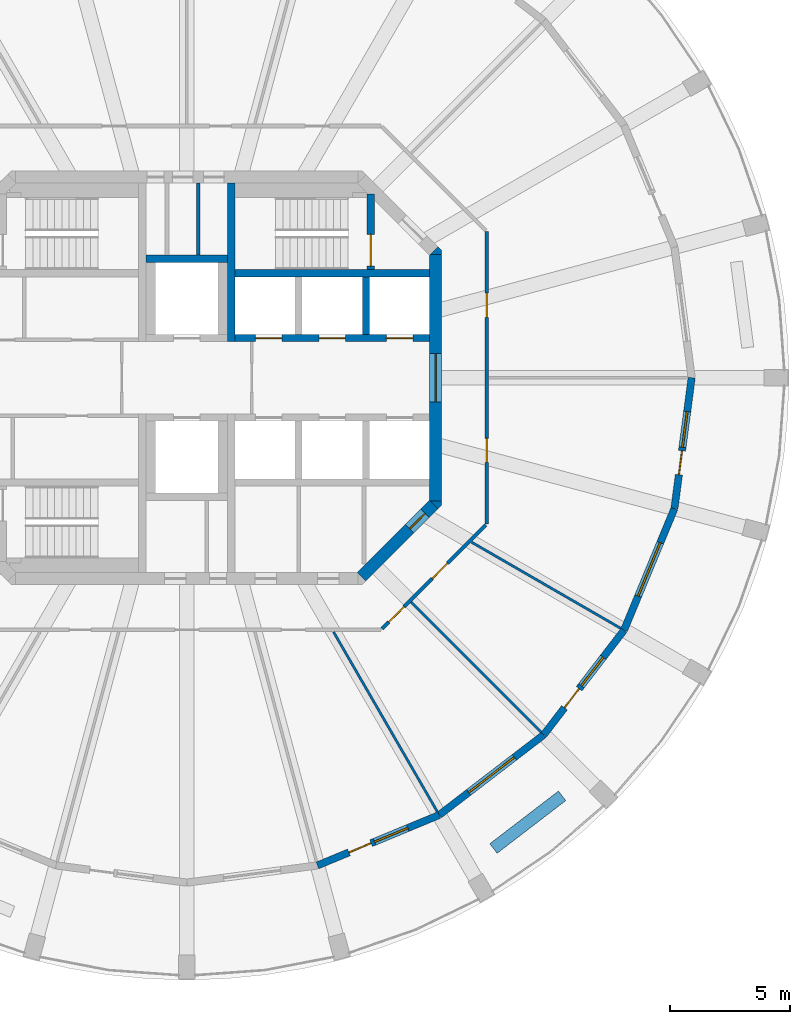
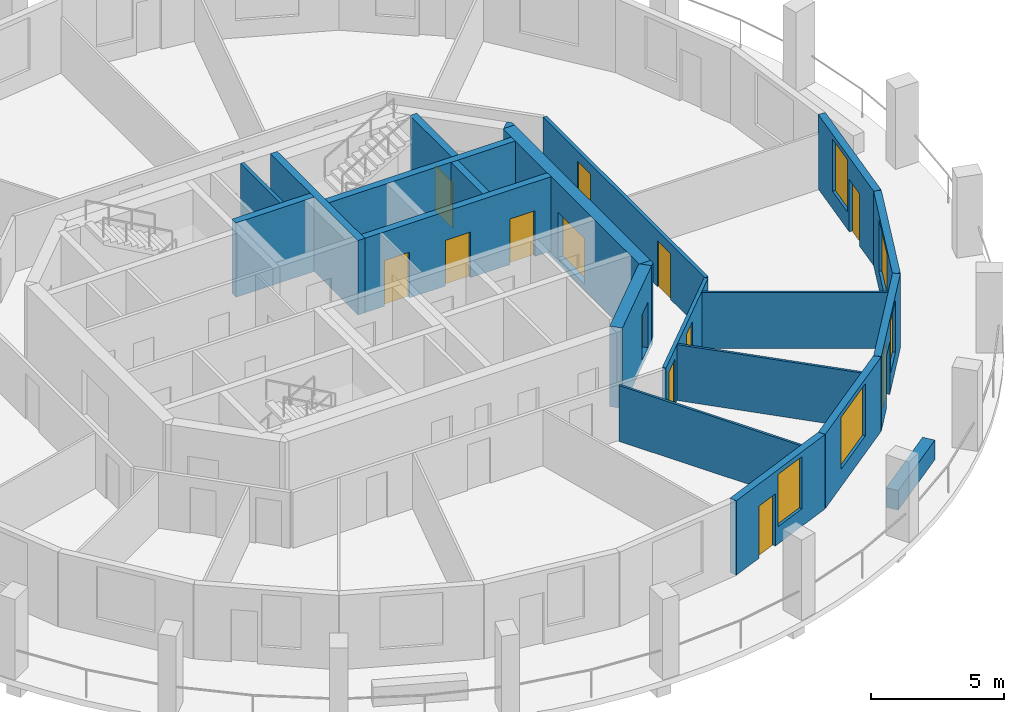
# One storey, part 4 of 8: 22 walls, 13 doors, 5 windows, 18 openings.
"""IFC4 building model written with IfcOpenShell, lengths in metres."""

from ifc_helpers import new_model, si_unit, direction, frame, frame_2d, origin, place, context, subcontext, project, spatial, polyline, rectangle, outline, extrude, material, layer, layer_set, type_object, element, fill, save


model = new_model("IFC4")

# Units and contexts
model_context = context("Model", 3, precision=1e-05, world=origin(), true_north=direction((0.0, 1.0)))
body_context = subcontext(model_context, "Body", "Model", "MODEL_VIEW")
ifc_project = project(units=[si_unit("LENGTHUNIT", "METRE"), si_unit("AREAUNIT", "SQUARE_METRE"), si_unit("VOLUMEUNIT", "CUBIC_METRE"), si_unit("PLANEANGLEUNIT", "RADIAN"), si_unit("MASSUNIT", "GRAM", prefix="KILO")], contexts=[model_context])

# Site, building, storey
site_placement = place(None, origin())
site = spatial("IfcSite", under=ifc_project, at=site_placement, CompositionType="ELEMENT")
building_placement = place(site_placement, origin())
building = spatial("IfcBuilding", under=site, at=building_placement, Name="Torre Triforio", CompositionType="ELEMENT")
storey_placement = place(building_placement, frame((0.0, 0.0, 253.800048828125)))
storey = spatial("IfcBuildingStorey", under=building, at=storey_placement, Name="L58", CompositionType="ELEMENT", Elevation=253.800048828125)

# Wall
ifc_material_1 = material(Name="Concrete C40", Category="concrete")
ifc_layer_1 = layer(ifc_material_1, 0.300048828125)
ifc_layer_set_1 = layer_set([ifc_layer_1], Name="Concrete C40")
wall_type_1 = type_object("IfcWallType", Name="Core wall 300 mm C40 EI 120", PredefinedType="SHEAR", material=ifc_layer_set_1)
wall_1_placement = place(storey_placement, frame((1.85009765625, 1.5, 0.0), z_axis=(0.0, 0.0, 1.0), x_axis=(0.0, 1.0, 0.0)))
element("IfcWall", 1, at=wall_1_placement, inside=storey, type_object=wall_type_1, Name="Core wall", PredefinedType="SHEAR", context=body_context, shape_type="SweptSolid", body=[
    extrude(rectangle(XDim=6.60009765625, YDim=0.300048828125, at=frame_2d((3.300048828125, 0.0))), origin(), (0.0, 0.0, 1.0), 3.419921875),
])

# Wall, opening, door
ifc_layer_2 = layer(ifc_material_1, 0.5)
ifc_layer_set_2 = layer_set([ifc_layer_2], Name="Concrete C40")
wall_type_2 = type_object("IfcWallType", Name="Core wall 500 mm C40 EI 120", PredefinedType="SHEAR", material=ifc_layer_set_2)
wall_2_placement = place(storey_placement, frame((10.35009765625, -5.1298828125, -0.280029296875), z_axis=(0.0, 0.0, 1.0), x_axis=(0.0, 1.0, 0.0)))
wall_2 = element("IfcWall", 2, at=wall_2_placement, inside=storey, type_object=wall_type_2, Name="Core wall", PredefinedType="SHEAR", context=body_context, shape_type="SweptSolid", body=[
    extrude(rectangle(XDim=10.259765625, YDim=0.5, at=frame_2d((5.1298828125, 0.0))), origin(), (0.0, 0.0, 1.0), 3.699951171875),
])
opening_1_placement = place(wall_2_placement, frame((4.1298828125, 0.0, 0.280029296875)))
opening_1 = element("IfcOpeningElement", 3, at=opening_1_placement, cuts=wall_2, Name="Opening E-RING", PredefinedType="OPENING", context=body_context, shape_type="SweptSolid", body=[
    extrude(rectangle(XDim=2.0, YDim=2.10009765625, at=frame_2d((1.0, 1.050048828125))), frame((0.0, 0.260009765625, 0.0), z_axis=(0.0, -1.0, 0.0), x_axis=(1.0, 0.0, 0.0)), (0.0, 0.0, 1.0), 0.52001953125),
])
ifc_material_2 = material(Name="Hollow metal fire door leaf")
door_type_1 = type_object("IfcDoorType", Name="Lobby door 2000 x 2100 EI 60", OperationType="DOUBLE_DOOR_SINGLE_SWING", PredefinedType="DOOR", material=ifc_material_2)
door_1_placement = place(opening_1_placement, origin())
door_1 = element("IfcDoor", 4, at=door_1_placement, inside=storey, type_object=door_type_1, Name="Core door E-RING", OperationType="DOUBLE_DOOR_SINGLE_SWING", OverallHeight=2.10009765625, OverallWidth=2.0, PredefinedType="DOOR", context=body_context, shape_type="SweptSolid", body=[
    extrude(rectangle(XDim=2.0, YDim=2.10009765625, at=frame_2d((1.0, 1.050048828125))), frame((0.0, 0.02490234375, 0.0), z_axis=(0.0, -1.0, 0.0), x_axis=(1.0, 0.0, 0.0)), (0.0, 0.0, 1.0), 0.050048828125),
])
fill(opening_1, door_1)

wall_3_placement = place(storey_placement, frame((10.27685546875, -5.27685546875, -0.280029296875), z_axis=(0.0, 0.0, 1.0), x_axis=(-0.707106781187, -0.707106781187, 0.0)))
wall_3 = element("IfcWall", 5, at=wall_3_placement, inside=storey, type_object=wall_type_2, Name="Core wall", PredefinedType="SHEAR", context=body_context, shape_type="SweptSolid", body=[
    extrude(rectangle(XDim=4.24267578125, YDim=0.5, at=frame_2d((2.121337890625, 0.0))), origin(), (0.0, 0.0, 1.0), 3.699951171875),
])
opening_2_placement = place(wall_3_placement, frame((0.52001953125, 0.0, 0.280029296875)))
opening_2 = element("IfcOpeningElement", 6, at=opening_2_placement, cuts=wall_3, Name="Opening SE-03", PredefinedType="OPENING", context=body_context, shape_type="SweptSolid", body=[
    extrude(rectangle(XDim=0.89990234375, YDim=2.10009765625, at=frame_2d((0.449951171875, 1.050048828125))), frame((0.0, 0.260009765625, 0.0), z_axis=(0.0, -1.0, 0.0), x_axis=(1.0, 0.0, 0.0)), (0.0, 0.0, 1.0), 0.52001953125),
])
door_type_2 = type_object("IfcDoorType", Name="Room door 900 x 2100 EI 60", OperationType="NOTDEFINED", PredefinedType="DOOR", material=ifc_material_2)
door_2_placement = place(opening_2_placement, origin())
door_2 = element("IfcDoor", 7, at=door_2_placement, inside=storey, type_object=door_type_2, Name="Core door SE-03", OperationType="SINGLE_SWING_RIGHT", OverallHeight=2.10009765625, OverallWidth=0.89990234375, PredefinedType="DOOR", context=body_context, shape_type="SweptSolid", body=[
    extrude(rectangle(XDim=0.89990234375, YDim=2.10009765625, at=frame_2d((0.449951171875, 1.050048828125))), frame((0.0, 0.02490234375, 0.0), z_axis=(0.0, -1.0, 0.0), x_axis=(1.0, 0.0, 0.0)), (0.0, 0.0, 1.0), 0.050048828125),
])
fill(opening_2, door_2)

# Walls
wall_4_placement = place(storey_placement, frame((0.0, 0.0, -0.280029296875)))
element("IfcWall", 8, at=wall_4_placement, inside=storey, type_object=wall_type_2, Name="Core wall", PredefinedType="SHEAR", context=body_context, shape_type="SweptSolid", body=[
    extrude(outline(polyline([(10.60009765625, -5.30712890625), (10.45361328125, -5.45361328125), (10.1298828125, -5.1298828125), (10.60009765625, -5.1298828125), (10.60009765625, -5.30712890625)])), origin(), (0.0, 0.0, 1.0), 3.699951171875),
])
wall_5_placement = place(storey_placement, frame((0.0, 0.0, -0.280029296875)))
element("IfcWall", 9, at=wall_5_placement, inside=storey, type_object=wall_type_2, Name="Core wall", PredefinedType="SHEAR", context=body_context, shape_type="SweptSolid", body=[
    extrude(outline(polyline([(10.60009765625, 5.30712890625), (10.60009765625, 5.1298828125), (10.1298828125, 5.1298828125), (10.45361328125, 5.45361328125), (10.60009765625, 5.30712890625)])), origin(), (0.0, 0.0, 1.0), 3.699951171875),
])

# Wall, openings, doors
ifc_material_3 = material(Name="Plasterboard on metal studs")
ifc_layer_3 = layer(ifc_material_3, 0.14990234375)
ifc_layer_set_3 = layer_set([ifc_layer_3], Name="Plasterboard on metal studs")
wall_type_3 = type_object("IfcWallType", Name="Corridor and tenancy wall 150 mm EI 60", PredefinedType="PARTITIONING", material=ifc_layer_set_3)
wall_6_placement = place(storey_placement, frame((12.43798828125, -6.120849609375, 0.0), z_axis=(0.0, 0.0, 1.0), x_axis=(-0.707106781187, -0.707106781187, 0.0)))
wall_6 = element("IfcWall", 10, at=wall_6_placement, inside=storey, type_object=wall_type_3, Name="Partition 1", PredefinedType="PARTITIONING", context=body_context, shape_type="SweptSolid", body=[
    extrude(rectangle(XDim=6.10546875, YDim=0.14990234375, at=frame_2d((3.052734375, 0.0))), origin(), (0.0, 0.0, 1.0), 2.570068359375),
])
opening_3_placement = place(wall_6_placement, frame((4.81103515625, 0.0, 0.0)))
opening_3 = element("IfcOpeningElement", 11, at=opening_3_placement, cuts=wall_6, Name="Opening E1-12", PredefinedType="OPENING", context=body_context, shape_type="SweptSolid", body=[
    extrude(rectangle(XDim=0.89990234375, YDim=2.10009765625, at=frame_2d((0.449951171875, 1.050048828125))), frame((0.0, 0.0849609375, 0.0), z_axis=(0.0, -1.0, 0.0), x_axis=(1.0, 0.0, 0.0)), (0.0, 0.0, 1.0), 0.169921875),
])
opening_4_placement = place(wall_6_placement, frame((2.2578125, 0.0, 0.0)))
opening_4 = element("IfcOpeningElement", 12, at=opening_4_placement, cuts=wall_6, Name="Opening E1-13", PredefinedType="OPENING", context=body_context, shape_type="SweptSolid", body=[
    extrude(rectangle(XDim=0.89990234375, YDim=2.10009765625, at=frame_2d((0.449951171875, 1.050048828125))), frame((0.0, 0.0849609375, 0.0), z_axis=(0.0, -1.0, 0.0), x_axis=(1.0, 0.0, 0.0)), (0.0, 0.0, 1.0), 0.169921875),
])
ifc_material_4 = material(Name="Timber", Category="wood")
door_type_3 = type_object("IfcDoorType", Name="Door 900 x 2100 single leaf EI 30", OperationType="NOTDEFINED", PredefinedType="DOOR", material=ifc_material_4)
door_3_placement = place(opening_3_placement, origin())
door_3 = element("IfcDoor", 13, at=door_3_placement, inside=storey, type_object=door_type_3, Name="Door E1-12", OperationType="SINGLE_SWING_LEFT", OverallHeight=2.10009765625, OverallWidth=0.89990234375, PredefinedType="DOOR", context=body_context, shape_type="SweptSolid", body=[
    extrude(rectangle(XDim=0.89990234375, YDim=2.10009765625, at=frame_2d((0.449951171875, 1.050048828125))), frame((0.0, 0.02490234375, 0.0), z_axis=(0.0, -1.0, 0.0), x_axis=(1.0, 0.0, 0.0)), (0.0, 0.0, 1.0), 0.050048828125),
])
fill(opening_3, door_3)
door_4_placement = place(opening_4_placement, origin())
door_4 = element("IfcDoor", 14, at=door_4_placement, inside=storey, type_object=door_type_3, Name="Door E1-13", OperationType="SINGLE_SWING_LEFT", OverallHeight=2.10009765625, OverallWidth=0.89990234375, PredefinedType="DOOR", context=body_context, shape_type="SweptSolid", body=[
    extrude(rectangle(XDim=0.89990234375, YDim=2.10009765625, at=frame_2d((0.449951171875, 1.050048828125))), frame((0.0, 0.02490234375, 0.0), z_axis=(0.0, -1.0, 0.0), x_axis=(1.0, 0.0, 0.0)), (0.0, 0.0, 1.0), 0.050048828125),
])
fill(opening_4, door_4)

wall_7_placement = place(storey_placement, frame((12.47509765625, 6.083740234375, 0.0), z_axis=(0.0, 0.0, 1.0), x_axis=(0.0, -1.0, 0.0)))
wall_7 = element("IfcWall", 15, at=wall_7_placement, inside=storey, type_object=wall_type_3, Name="Partition 8", PredefinedType="PARTITIONING", context=body_context, shape_type="SweptSolid", body=[
    extrude(rectangle(XDim=12.16748046875, YDim=0.14990234375, at=frame_2d((6.083740234375, 0.0))), origin(), (0.0, 0.0, 1.0), 2.570068359375),
])
opening_5_placement = place(wall_7_placement, frame((8.6005859375, 0.0, 0.0)))
opening_5 = element("IfcOpeningElement", 16, at=opening_5_placement, cuts=wall_7, Name="Opening E1-14", PredefinedType="OPENING", context=body_context, shape_type="SweptSolid", body=[
    extrude(rectangle(XDim=1.0, YDim=2.10009765625, at=frame_2d((0.5, 1.050048828125))), frame((0.0, 0.0849609375, 0.0), z_axis=(0.0, -1.0, 0.0), x_axis=(1.0, 0.0, 0.0)), (0.0, 0.0, 1.0), 0.169921875),
])
opening_6_placement = place(wall_7_placement, frame((2.56689453125, 0.0, 0.0)))
opening_6 = element("IfcOpeningElement", 17, at=opening_6_placement, cuts=wall_7, Name="Opening E1-15", PredefinedType="OPENING", context=body_context, shape_type="SweptSolid", body=[
    extrude(rectangle(XDim=1.0, YDim=2.10009765625, at=frame_2d((0.5, 1.050048828125))), frame((0.0, 0.0849609375, 0.0), z_axis=(0.0, -1.0, 0.0), x_axis=(1.0, 0.0, 0.0)), (0.0, 0.0, 1.0), 0.169921875),
])
door_type_4 = type_object("IfcDoorType", Name="Door 1000 x 2100 single leaf EI 30", OperationType="NOTDEFINED", PredefinedType="DOOR", material=ifc_material_4)
door_5_placement = place(opening_5_placement, origin())
door_5 = element("IfcDoor", 18, at=door_5_placement, inside=storey, type_object=door_type_4, Name="Door E1-14", OperationType="SINGLE_SWING_LEFT", OverallHeight=2.10009765625, OverallWidth=1.0, PredefinedType="DOOR", context=body_context, shape_type="SweptSolid", body=[
    extrude(rectangle(XDim=1.0, YDim=2.10009765625, at=frame_2d((0.5, 1.050048828125))), frame((0.0, 0.02490234375, 0.0), z_axis=(0.0, -1.0, 0.0), x_axis=(1.0, 0.0, 0.0)), (0.0, 0.0, 1.0), 0.050048828125),
])
fill(opening_5, door_5)
door_6_placement = place(opening_6_placement, origin())
door_6 = element("IfcDoor", 19, at=door_6_placement, inside=storey, type_object=door_type_4, Name="Door E1-15", OperationType="SINGLE_SWING_LEFT", OverallHeight=2.10009765625, OverallWidth=1.0, PredefinedType="DOOR", context=body_context, shape_type="SweptSolid", body=[
    extrude(rectangle(XDim=1.0, YDim=2.10009765625, at=frame_2d((0.5, 1.050048828125))), frame((0.0, 0.02490234375, 0.0), z_axis=(0.0, -1.0, 0.0), x_axis=(1.0, 0.0, 0.0)), (0.0, 0.0, 1.0), 0.050048828125),
])
fill(opening_6, door_6)

# Walls
ifc_layer_4 = layer(ifc_material_3, 0.10009765625)
ifc_layer_set_4 = layer_set([ifc_layer_4], Name="Plasterboard on metal studs")
wall_type_4 = type_object("IfcWallType", Name="Partition 100 mm board on metal studs", PredefinedType="PARTITIONING", material=ifc_layer_set_4)
wall_8_placement = place(storey_placement, frame((6.105224609375, -10.57470703125, 0.0), z_axis=(0.0, 0.0, 1.0), x_axis=(0.50001399067, -0.866017326117, 0.0)))
element("IfcWall", 20, at=wall_8_placement, inside=storey, type_object=wall_type_4, Name="Partition 21", PredefinedType="PARTITIONING", context=body_context, shape_type="SweptSolid", body=[
    extrude(rectangle(XDim=8.626220703125, YDim=0.10009765625, at=frame_2d((4.31298828125, 0.0))), origin(), (0.0, 0.0, 1.0), 2.570068359375),
])
wall_9_placement = place(storey_placement, frame((9.33251953125, -9.33251953125, 0.0), z_axis=(0.0, 0.0, 1.0), x_axis=(0.707106781187, -0.707106781187, 0.0)))
element("IfcWall", 21, at=wall_9_placement, inside=storey, type_object=wall_type_4, Name="Partition 22", PredefinedType="PARTITIONING", context=body_context, shape_type="SweptSolid", body=[
    extrude(rectangle(XDim=7.638671875, YDim=0.10009765625, at=frame_2d((3.8193359375, 0.0))), origin(), (0.0, 0.0, 1.0), 2.570068359375),
])
wall_10_placement = place(storey_placement, frame((11.845947265625, -6.839111328125, 0.0), z_axis=(0.0, 0.0, 1.0), x_axis=(0.866011787705, -0.500023583, 0.0)))
element("IfcWall", 22, at=wall_10_placement, inside=storey, type_object=wall_type_4, Name="Partition 23", PredefinedType="PARTITIONING", context=body_context, shape_type="SweptSolid", body=[
    extrude(rectangle(XDim=7.158447265625, YDim=0.10009765625, at=frame_2d((3.5791015625, 0.0))), origin(), (0.0, 0.0, 1.0), 2.570068359375),
])
ifc_material_5 = material(Name="Block and board partition")
ifc_layer_5 = layer(ifc_material_5, 0.14990234375)
ifc_layer_set_5 = layer_set([ifc_layer_5], Name="Block and board partition")
wall_type_5 = type_object("IfcWallType", Name="Partition 150 mm", PredefinedType="PARTITIONING", material=ifc_layer_set_5)
wall_11_placement = place(storey_placement, frame((0.47509765625, 5.10009765625, 0.0), z_axis=(0.0, 0.0, 1.0), x_axis=(0.0, 1.0, 0.0)))
element("IfcWall", 23, at=wall_11_placement, inside=storey, type_object=wall_type_5, Name="Partition", PredefinedType="PARTITIONING", context=body_context, shape_type="SweptSolid", body=[
    extrude(rectangle(XDim=3.0, YDim=0.14990234375, at=frame_2d((1.5, 0.0))), origin(), (0.0, 0.0, 1.0), 3.419921875),
])
ifc_material_6 = material(Name="Limestone cladding", Category="masonry")
ifc_layer_6 = layer(ifc_material_6, 0.10009765625)
ifc_layer_7 = layer(ifc_material_1, 0.39990234375)
ifc_layer_set_6 = layer_set([ifc_layer_6, ifc_layer_7], Name="Limestone cladding / Concrete C40")
wall_type_6 = type_object("IfcWallType", Name="Planter wall 500", PredefinedType="PARAPET", material=ifc_layer_set_6)
wall_12_placement = place(storey_placement, frame((12.756103515625, -19.580810546875, 0.0), z_axis=(0.0, 0.0, 1.0), x_axis=(0.793384730612, 0.608720518162, 0.0)))
element("IfcWall", 24, at=wall_12_placement, inside=storey, type_object=wall_type_6, Name="Planter L58 bay 21", PredefinedType="PARAPET", context=body_context, shape_type="SweptSolid", body=[
    extrude(rectangle(XDim=3.60009765625, YDim=0.5, at=frame_2d((1.800048828125, 0.0))), origin(), (0.0, 0.0, 1.0), 0.89990234375),
])
ifc_layer_8 = layer(ifc_material_1, 0.300048828125)
ifc_layer_set_7 = layer_set([ifc_layer_8], Name="Concrete C40")
wall_type_7 = type_object("IfcWallType", Name="Shaft wall 300 mm C40 EI 120", PredefinedType="SOLIDWALL", material=ifc_layer_set_7)
wall_13_placement = place(storey_placement, frame((2.0, 4.35009765625, 0.0), z_axis=(0.0, 0.0, 1.0), x_axis=(1.0, 0.0, 0.0)))
element("IfcWall", 25, at=wall_13_placement, inside=storey, type_object=wall_type_7, Name="Shaft wall", PredefinedType="SOLIDWALL", context=body_context, shape_type="SweptSolid", body=[
    extrude(rectangle(XDim=8.10009765625, YDim=0.300048828125, at=frame_2d((4.050048828125, 0.0))), origin(), (0.0, 0.0, 1.0), 3.419921875),
])

# Wall, openings, doors
wall_14_placement = place(storey_placement, frame((2.0, 1.64990234375, 0.0), z_axis=(0.0, 0.0, 1.0), x_axis=(1.0, 0.0, 0.0)))
wall_14 = element("IfcWall", 26, at=wall_14_placement, inside=storey, type_object=wall_type_7, Name="Shaft wall", PredefinedType="SOLIDWALL", context=body_context, shape_type="SweptSolid", body=[
    extrude(rectangle(XDim=8.10009765625, YDim=0.300048828125, at=frame_2d((4.050048828125, 0.0))), origin(), (0.0, 0.0, 1.0), 3.419921875),
])
opening_7_placement = place(wall_14_placement, frame((0.85009765625, 0.0, 0.0)))
opening_7 = element("IfcOpeningElement", 27, at=opening_7_placement, cuts=wall_14, Name="Opening LD", PredefinedType="OPENING", context=body_context, shape_type="SweptSolid", body=[
    extrude(rectangle(XDim=1.10009765625, YDim=2.10009765625, at=frame_2d((0.550048828125, 1.050048828125))), frame((0.0, 0.159912109375, 0.0), z_axis=(0.0, -1.0, 0.0), x_axis=(1.0, 0.0, 0.0)), (0.0, 0.0, 1.0), 0.320068359375),
])
opening_8_placement = place(wall_14_placement, frame((3.5, 0.0, 0.0)))
opening_8 = element("IfcOpeningElement", 28, at=opening_8_placement, cuts=wall_14, Name="Opening LD", PredefinedType="OPENING", context=body_context, shape_type="SweptSolid", body=[
    extrude(rectangle(XDim=1.10009765625, YDim=2.10009765625, at=frame_2d((0.550048828125, 1.050048828125))), frame((0.0, 0.159912109375, 0.0), z_axis=(0.0, -1.0, 0.0), x_axis=(1.0, 0.0, 0.0)), (0.0, 0.0, 1.0), 0.320068359375),
])
opening_9_placement = place(wall_14_placement, frame((6.300048828125, 0.0, 0.0)))
opening_9 = element("IfcOpeningElement", 29, at=opening_9_placement, cuts=wall_14, Name="Opening LD", PredefinedType="OPENING", context=body_context, shape_type="SweptSolid", body=[
    extrude(rectangle(XDim=1.10009765625, YDim=2.10009765625, at=frame_2d((0.550048828125, 1.050048828125))), frame((0.0, 0.159912109375, 0.0), z_axis=(0.0, -1.0, 0.0), x_axis=(1.0, 0.0, 0.0)), (0.0, 0.0, 1.0), 0.320068359375),
])
door_type_5 = type_object("IfcDoorType", Name="Landing door 1100 x 2100 EI 60", OperationType="DOUBLE_DOOR_SLIDING", PredefinedType="DOOR", material=ifc_material_2)
door_7_placement = place(opening_7_placement, origin())
door_7 = element("IfcDoor", 30, at=door_7_placement, inside=storey, type_object=door_type_5, Name="Landing door HR1", OperationType="DOUBLE_DOOR_SLIDING", OverallHeight=2.10009765625, OverallWidth=1.10009765625, PredefinedType="DOOR", context=body_context, shape_type="SweptSolid", body=[
    extrude(rectangle(XDim=1.10009765625, YDim=2.10009765625, at=frame_2d((0.550048828125, 1.050048828125))), frame((0.0, 0.02490234375, 0.0), z_axis=(0.0, -1.0, 0.0), x_axis=(1.0, 0.0, 0.0)), (0.0, 0.0, 1.0), 0.050048828125),
])
fill(opening_7, door_7)
door_8_placement = place(opening_8_placement, origin())
door_8 = element("IfcDoor", 31, at=door_8_placement, inside=storey, type_object=door_type_5, Name="Landing door HR2", OperationType="DOUBLE_DOOR_SLIDING", OverallHeight=2.10009765625, OverallWidth=1.10009765625, PredefinedType="DOOR", context=body_context, shape_type="SweptSolid", body=[
    extrude(rectangle(XDim=1.10009765625, YDim=2.10009765625, at=frame_2d((0.550048828125, 1.050048828125))), frame((0.0, 0.02490234375, 0.0), z_axis=(0.0, -1.0, 0.0), x_axis=(1.0, 0.0, 0.0)), (0.0, 0.0, 1.0), 0.050048828125),
])
fill(opening_8, door_8)
door_9_placement = place(opening_9_placement, origin())
door_9 = element("IfcDoor", 32, at=door_9_placement, inside=storey, type_object=door_type_5, Name="Landing door HR3", OperationType="DOUBLE_DOOR_SLIDING", OverallHeight=2.10009765625, OverallWidth=1.10009765625, PredefinedType="DOOR", context=body_context, shape_type="SweptSolid", body=[
    extrude(rectangle(XDim=1.10009765625, YDim=2.10009765625, at=frame_2d((0.550048828125, 1.050048828125))), frame((0.0, 0.02490234375, 0.0), z_axis=(0.0, -1.0, 0.0), x_axis=(1.0, 0.0, 0.0)), (0.0, 0.0, 1.0), 0.050048828125),
])
fill(opening_9, door_9)

# Walls
wall_15_placement = place(storey_placement, frame((7.449951171875, 1.800048828125, 0.0), z_axis=(0.0, 0.0, 1.0), x_axis=(0.0, 1.0, 0.0)))
element("IfcWall", 33, at=wall_15_placement, inside=storey, type_object=wall_type_7, Name="Shaft wall", PredefinedType="SOLIDWALL", context=body_context, shape_type="SweptSolid", body=[
    extrude(rectangle(XDim=2.39990234375, YDim=0.300048828125, at=frame_2d((1.199951171875, 0.0))), origin(), (0.0, 0.0, 1.0), 3.419921875),
])
wall_16_placement = place(storey_placement, frame((-1.699951171875, 4.949951171875, 0.0), z_axis=(0.0, 0.0, 1.0), x_axis=(1.0, 0.0, 0.0)))
element("IfcWall", 34, at=wall_16_placement, inside=storey, type_object=wall_type_7, Name="Shaft wall", PredefinedType="SOLIDWALL", context=body_context, shape_type="SweptSolid", body=[
    extrude(rectangle(XDim=3.39990234375, YDim=0.300048828125, at=frame_2d((1.699951171875, 0.0))), origin(), (0.0, 0.0, 1.0), 3.419921875),
])

# Wall, opening, door
ifc_layer_9 = layer(ifc_material_1, 0.300048828125)
ifc_layer_set_8 = layer_set([ifc_layer_9], Name="Concrete C40")
wall_type_8 = type_object("IfcWallType", Name="Stair wall 300 mm C40 EI 120", PredefinedType="SHEAR", material=ifc_layer_set_8)
wall_17_placement = place(storey_placement, frame((7.64990234375, 4.5, 0.0), z_axis=(0.0, 0.0, 1.0), x_axis=(0.0, 1.0, 0.0)))
wall_17 = element("IfcWall", 35, at=wall_17_placement, inside=storey, type_object=wall_type_8, Name="Stair wall", PredefinedType="SHEAR", context=body_context, shape_type="SweptSolid", body=[
    extrude(rectangle(XDim=3.139892578125, YDim=0.300048828125, at=frame_2d((1.56982421875, 0.0))), origin(), (0.0, 0.0, 1.0), 3.419921875),
])
opening_10_placement = place(wall_17_placement, frame((0.139892578125, 0.0, 0.0)))
opening_10 = element("IfcOpeningElement", 36, at=opening_10_placement, cuts=wall_17, Name="Opening ST2-STA", PredefinedType="OPENING", context=body_context, shape_type="SweptSolid", body=[
    extrude(rectangle(XDim=1.320068359375, YDim=2.10009765625, at=frame_2d((0.66015625, 1.050048828125))), frame((0.0, 0.159912109375, 0.0), z_axis=(0.0, -1.0, 0.0), x_axis=(1.0, 0.0, 0.0)), (0.0, 0.0, 1.0), 0.320068359375),
])
door_type_6 = type_object("IfcDoorType", Name="Stair door 1320 x 2100 EI 90", OperationType="DOUBLE_DOOR_SINGLE_SWING", PredefinedType="DOOR", material=ifc_material_2)
door_10_placement = place(opening_10_placement, origin())
door_10 = element("IfcDoor", 37, at=door_10_placement, inside=storey, type_object=door_type_6, Name="Core door ST2-ST", OperationType="DOUBLE_DOOR_SINGLE_SWING", OverallHeight=2.10009765625, OverallWidth=1.320068359375, PredefinedType="DOOR", context=body_context, shape_type="SweptSolid", body=[
    extrude(rectangle(XDim=1.320068359375, YDim=2.10009765625, at=frame_2d((0.66015625, 1.050048828125))), frame((0.0, 0.02490234375, 0.0), z_axis=(0.0, -1.0, 0.0), x_axis=(1.0, 0.0, 0.0)), (0.0, 0.0, 1.0), 0.050048828125),
])
fill(opening_10, door_10)

# Wall, openings, door, window
ifc_layer_10 = layer(ifc_material_6, 0.10009765625)
ifc_layer_11 = layer(ifc_material_1, 0.199951171875)
ifc_layer_set_9 = layer_set([ifc_layer_10, ifc_layer_11], Name="Limestone cladding / Concrete C40")
wall_type_9 = type_object("IfcWallType", Name="Stone-faced composite wall 300", PredefinedType="STANDARD", material=ifc_layer_set_9)
wall_18_placement = place(storey_placement, frame((5.435302734375, -20.284423828125, 0.0), z_axis=(0.0, 0.0, 1.0), x_axis=(0.923877333662, 0.382688740813, 0.0)))
wall_18 = element("IfcWall", 38, at=wall_18_placement, inside=storey, type_object=wall_type_9, Name="External wall L58 bay 20", PredefinedType="STANDARD", context=body_context, shape_type="SweptSolid", body=[
    extrude(rectangle(XDim=5.48193359375, YDim=0.300048828125, at=frame_2d((2.740966796875, 0.0))), origin(), (0.0, 0.0, 1.0), 3.419921875),
])
opening_11_placement = place(wall_18_placement, frame((1.416015625, 0.0, 0.0)))
opening_11 = element("IfcOpeningElement", 39, at=opening_11_placement, cuts=wall_18, Name="Opening E1-D20", PredefinedType="OPENING", context=body_context, shape_type="SweptSolid", body=[
    extrude(rectangle(XDim=1.0, YDim=2.39990234375, at=frame_2d((0.5, 1.199951171875))), frame((0.0, 0.159912109375, 0.0), z_axis=(0.0, -1.0, 0.0), x_axis=(1.0, 0.0, 0.0)), (0.0, 0.0, 1.0), 0.320068359375),
])
opening_12_placement = place(wall_18_placement, frame((2.566162109375, 0.0, 0.800048828125)))
opening_12 = element("IfcOpeningElement", 40, at=opening_12_placement, cuts=wall_18, Name="Opening E1-W20A", PredefinedType="OPENING", context=body_context, shape_type="SweptSolid", body=[
    extrude(rectangle(XDim=1.5, YDim=2.39990234375, at=frame_2d((0.75, 1.199951171875))), frame((0.0, 0.159912109375, 0.0), z_axis=(0.0, -1.0, 0.0), x_axis=(1.0, 0.0, 0.0)), (0.0, 0.0, 1.0), 0.320068359375),
])
ifc_material_7 = material(Name="Aluminium frame with clear double glazing", Category="aluminium")
door_type_7 = type_object("IfcDoorType", Name="Loggia door 1000 x 2400", OperationType="NOTDEFINED", PredefinedType="DOOR", material=ifc_material_7)
door_11_placement = place(opening_11_placement, origin())
door_11 = element("IfcDoor", 41, at=door_11_placement, inside=storey, type_object=door_type_7, Name="Loggia door L58 bay 20", OperationType="SINGLE_SWING_LEFT", OverallHeight=2.39990234375, OverallWidth=1.0, PredefinedType="DOOR", context=body_context, shape_type="SweptSolid", body=[
    extrude(rectangle(XDim=1.0, YDim=2.39990234375, at=frame_2d((0.5, 1.199951171875))), frame((0.0, 0.02490234375, 0.0), z_axis=(0.0, -1.0, 0.0), x_axis=(1.0, 0.0, 0.0)), (0.0, 0.0, 1.0), 0.050048828125),
])
fill(opening_11, door_11)
window_type_1 = type_object("IfcWindowType", Name="Side window 1500 x 2400", PartitioningType="SINGLE_PANEL", PredefinedType="WINDOW", material=ifc_material_7)
window_1_placement = place(opening_12_placement, origin())
window_1 = element("IfcWindow", 42, at=window_1_placement, inside=storey, type_object=window_type_1, Name="Side window EWN14 L58 bay 20", OverallHeight=2.39990234375, OverallWidth=1.5, PartitioningType="SINGLE_PANEL", PredefinedType="WINDOW", context=body_context, shape_type="SweptSolid", body=[
    extrude(rectangle(XDim=1.5, YDim=2.39990234375, at=frame_2d((0.75, 1.199951171875))), frame((0.0, 0.030029296875, 0.0), z_axis=(0.0, -1.0, 0.0), x_axis=(1.0, 0.0, 0.0)), (0.0, 0.0, 1.0), 0.06005859375),
])
fill(opening_12, window_1)

# Wall, opening, window
wall_19_placement = place(storey_placement, frame((10.5, -18.1865234375, 0.0), z_axis=(0.0, 0.0, 1.0), x_axis=(0.793335336593, 0.608784891166, 0.0)))
wall_19 = element("IfcWall", 43, at=wall_19_placement, inside=storey, type_object=wall_type_9, Name="External wall L58 bay 21", PredefinedType="STANDARD", context=body_context, shape_type="SweptSolid", body=[
    extrude(rectangle(XDim=5.482177734375, YDim=0.300048828125, at=frame_2d((2.7412109375, 0.0))), origin(), (0.0, 0.0, 1.0), 3.419921875),
])
opening_13_placement = place(wall_19_placement, frame((1.541015625, 0.0, 0.800048828125)))
opening_13 = element("IfcOpeningElement", 44, at=opening_13_placement, cuts=wall_19, Name="Opening E1-W21", PredefinedType="OPENING", context=body_context, shape_type="SweptSolid", body=[
    extrude(rectangle(XDim=2.39990234375, YDim=2.39990234375, at=frame_2d((1.199951171875, 1.199951171875))), frame((0.0, 0.159912109375, 0.0), z_axis=(0.0, -1.0, 0.0), x_axis=(1.0, 0.0, 0.0)), (0.0, 0.0, 1.0), 0.320068359375),
])
window_type_2 = type_object("IfcWindowType", Name="Punched window 2400 x 2400", PartitioningType="DOUBLE_PANEL_VERTICAL", PredefinedType="WINDOW", material=ifc_material_7)
window_2_placement = place(opening_13_placement, origin())
window_2 = element("IfcWindow", 45, at=window_2_placement, inside=storey, type_object=window_type_2, Name="Window EWN4 L58 bay 21", OverallHeight=2.39990234375, OverallWidth=2.39990234375, PartitioningType="SINGLE_PANEL", PredefinedType="WINDOW", context=body_context, shape_type="SweptSolid", body=[
    extrude(rectangle(XDim=2.39990234375, YDim=2.39990234375, at=frame_2d((1.199951171875, 1.199951171875))), frame((0.0, 0.030029296875, 0.0), z_axis=(0.0, -1.0, 0.0), x_axis=(1.0, 0.0, 0.0)), (0.0, 0.0, 1.0), 0.06005859375),
])
fill(opening_13, window_2)

# Wall, openings, door, window
wall_20_placement = place(storey_placement, frame((14.84912109375, -14.84912109375, 0.0), z_axis=(0.0, 0.0, 1.0), x_axis=(0.608784891166, 0.793335336593, 0.0)))
wall_20 = element("IfcWall", 46, at=wall_20_placement, inside=storey, type_object=wall_type_9, Name="External wall L58 bay 22", PredefinedType="STANDARD", context=body_context, shape_type="SweptSolid", body=[
    extrude(rectangle(XDim=5.482177734375, YDim=0.300048828125, at=frame_2d((2.7412109375, 0.0))), origin(), (0.0, 0.0, 1.0), 3.419921875),
])
opening_14_placement = place(wall_20_placement, frame((1.416015625, 0.0, 0.0)))
opening_14 = element("IfcOpeningElement", 47, at=opening_14_placement, cuts=wall_20, Name="Opening E1-D22", PredefinedType="OPENING", context=body_context, shape_type="SweptSolid", body=[
    extrude(rectangle(XDim=1.0, YDim=2.39990234375, at=frame_2d((0.5, 1.199951171875))), frame((0.0, 0.159912109375, 0.0), z_axis=(0.0, -1.0, 0.0), x_axis=(1.0, 0.0, 0.0)), (0.0, 0.0, 1.0), 0.320068359375),
])
opening_15_placement = place(wall_20_placement, frame((2.56591796875, 0.0, 0.800048828125)))
opening_15 = element("IfcOpeningElement", 48, at=opening_15_placement, cuts=wall_20, Name="Opening E1-W22A", PredefinedType="OPENING", context=body_context, shape_type="SweptSolid", body=[
    extrude(rectangle(XDim=1.5, YDim=2.39990234375, at=frame_2d((0.75, 1.199951171875))), frame((0.0, 0.159912109375, 0.0), z_axis=(0.0, -1.0, 0.0), x_axis=(1.0, 0.0, 0.0)), (0.0, 0.0, 1.0), 0.320068359375),
])
door_12_placement = place(opening_14_placement, origin())
door_12 = element("IfcDoor", 49, at=door_12_placement, inside=storey, type_object=door_type_7, Name="Loggia door L58 bay 22", OperationType="SINGLE_SWING_LEFT", OverallHeight=2.39990234375, OverallWidth=1.0, PredefinedType="DOOR", context=body_context, shape_type="SweptSolid", body=[
    extrude(rectangle(XDim=1.0, YDim=2.39990234375, at=frame_2d((0.5, 1.199951171875))), frame((0.0, 0.02490234375, 0.0), z_axis=(0.0, -1.0, 0.0), x_axis=(1.0, 0.0, 0.0)), (0.0, 0.0, 1.0), 0.050048828125),
])
fill(opening_14, door_12)
window_3_placement = place(opening_15_placement, origin())
window_3 = element("IfcWindow", 50, at=window_3_placement, inside=storey, type_object=window_type_1, Name="Side window EWN14 L58 bay 22", OverallHeight=2.39990234375, OverallWidth=1.5, PartitioningType="SINGLE_PANEL", PredefinedType="WINDOW", context=body_context, shape_type="SweptSolid", body=[
    extrude(rectangle(XDim=1.5, YDim=2.39990234375, at=frame_2d((0.75, 1.199951171875))), frame((0.0, 0.030029296875, 0.0), z_axis=(0.0, -1.0, 0.0), x_axis=(1.0, 0.0, 0.0)), (0.0, 0.0, 1.0), 0.06005859375),
])
fill(opening_15, window_3)

# Wall, opening, window
wall_21_placement = place(storey_placement, frame((18.1865234375, -10.5, 0.0), z_axis=(0.0, 0.0, 1.0), x_axis=(0.382688740813, 0.923877333662, 0.0)))
wall_21 = element("IfcWall", 51, at=wall_21_placement, inside=storey, type_object=wall_type_9, Name="External wall L58 bay 23", PredefinedType="STANDARD", context=body_context, shape_type="SweptSolid", body=[
    extrude(rectangle(XDim=5.48193359375, YDim=0.300048828125, at=frame_2d((2.740966796875, 0.0))), origin(), (0.0, 0.0, 1.0), 3.419921875),
])
opening_16_placement = place(wall_21_placement, frame((1.541015625, 0.0, 0.800048828125)))
opening_16 = element("IfcOpeningElement", 52, at=opening_16_placement, cuts=wall_21, Name="Opening E1-W23", PredefinedType="OPENING", context=body_context, shape_type="SweptSolid", body=[
    extrude(rectangle(XDim=2.39990234375, YDim=2.39990234375, at=frame_2d((1.199951171875, 1.199951171875))), frame((0.0, 0.159912109375, 0.0), z_axis=(0.0, -1.0, 0.0), x_axis=(1.0, 0.0, 0.0)), (0.0, 0.0, 1.0), 0.320068359375),
])
window_4_placement = place(opening_16_placement, origin())
window_4 = element("IfcWindow", 53, at=window_4_placement, inside=storey, type_object=window_type_2, Name="Window EWN4 L58 bay 23", OverallHeight=2.39990234375, OverallWidth=2.39990234375, PartitioningType="SINGLE_PANEL", PredefinedType="WINDOW", context=body_context, shape_type="SweptSolid", body=[
    extrude(rectangle(XDim=2.39990234375, YDim=2.39990234375, at=frame_2d((1.199951171875, 1.199951171875))), frame((0.0, 0.030029296875, 0.0), z_axis=(0.0, -1.0, 0.0), x_axis=(1.0, 0.0, 0.0)), (0.0, 0.0, 1.0), 0.06005859375),
])
fill(opening_16, window_4)

# Wall, openings, door, window
wall_22_placement = place(storey_placement, frame((20.284423828125, -5.435302734375, 0.0), z_axis=(0.0, 0.0, 1.0), x_axis=(0.130527087244, 0.991444743541, 0.0)))
wall_22 = element("IfcWall", 54, at=wall_22_placement, inside=storey, type_object=wall_type_9, Name="External wall L58 bay 24", PredefinedType="STANDARD", context=body_context, shape_type="SweptSolid", body=[
    extrude(rectangle(XDim=5.482177734375, YDim=0.300048828125, at=frame_2d((2.7412109375, 0.0))), origin(), (0.0, 0.0, 1.0), 3.419921875),
])
opening_17_placement = place(wall_22_placement, frame((1.416015625, 0.0, 0.0)))
opening_17 = element("IfcOpeningElement", 55, at=opening_17_placement, cuts=wall_22, Name="Opening E1-D24", PredefinedType="OPENING", context=body_context, shape_type="SweptSolid", body=[
    extrude(rectangle(XDim=1.0, YDim=2.39990234375, at=frame_2d((0.5, 1.199951171875))), frame((0.0, 0.159912109375, 0.0), z_axis=(0.0, -1.0, 0.0), x_axis=(1.0, 0.0, 0.0)), (0.0, 0.0, 1.0), 0.320068359375),
])
opening_18_placement = place(wall_22_placement, frame((2.566162109375, 0.0, 0.800048828125)))
opening_18 = element("IfcOpeningElement", 56, at=opening_18_placement, cuts=wall_22, Name="Opening E1-W24A", PredefinedType="OPENING", context=body_context, shape_type="SweptSolid", body=[
    extrude(rectangle(XDim=1.5, YDim=2.39990234375, at=frame_2d((0.75, 1.199951171875))), frame((0.0, 0.159912109375, 0.0), z_axis=(0.0, -1.0, 0.0), x_axis=(1.0, 0.0, 0.0)), (0.0, 0.0, 1.0), 0.320068359375),
])
door_13_placement = place(opening_17_placement, origin())
door_13 = element("IfcDoor", 57, at=door_13_placement, inside=storey, type_object=door_type_7, Name="Loggia door L58 bay 24", OperationType="SINGLE_SWING_LEFT", OverallHeight=2.39990234375, OverallWidth=1.0, PredefinedType="DOOR", context=body_context, shape_type="SweptSolid", body=[
    extrude(rectangle(XDim=1.0, YDim=2.39990234375, at=frame_2d((0.5, 1.199951171875))), frame((0.0, 0.02490234375, 0.0), z_axis=(0.0, -1.0, 0.0), x_axis=(1.0, 0.0, 0.0)), (0.0, 0.0, 1.0), 0.050048828125),
])
fill(opening_17, door_13)
window_5_placement = place(opening_18_placement, origin())
window_5 = element("IfcWindow", 58, at=window_5_placement, inside=storey, type_object=window_type_1, Name="Side window EWN14 L58 bay 24", OverallHeight=2.39990234375, OverallWidth=1.5, PartitioningType="SINGLE_PANEL", PredefinedType="WINDOW", context=body_context, shape_type="SweptSolid", body=[
    extrude(rectangle(XDim=1.5, YDim=2.39990234375, at=frame_2d((0.75, 1.199951171875))), frame((0.0, 0.030029296875, 0.0), z_axis=(0.0, -1.0, 0.0), x_axis=(1.0, 0.0, 0.0)), (0.0, 0.0, 1.0), 0.06005859375),
])
fill(opening_18, window_5)

save(model, "model.ifc")
